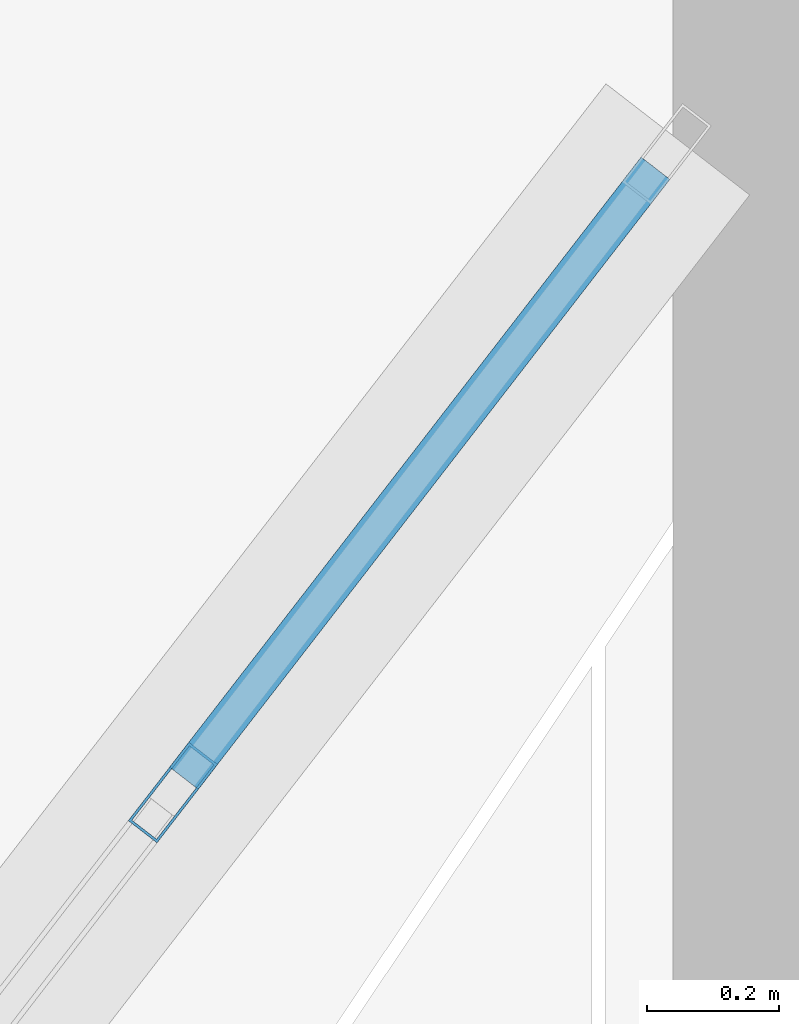
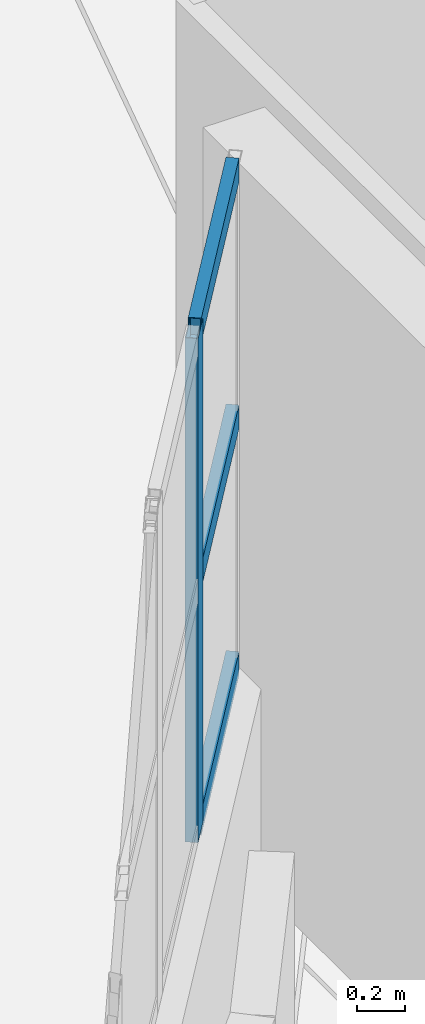
# One storey, part 11 of 46: 4 members, 1 element without a shape of its own.
"""IFC4 building model written with IfcOpenShell, lengths in metres."""

from ifc_helpers import new_model, si_unit, direction, frame, origin, origin_2d, place, context, subcontext, project, spatial, hollow_rectangle, extrude, material, layer, layer_set, material_profile, profile_set, type_object, element, aggregate, save


model = new_model("IFC4")

# Units and contexts
model_context = context("Model", 3, precision=1e-05, world=origin(), true_north=direction((0.0, 1.0)))
body_context = subcontext(model_context, "Body", "Model", "MODEL_VIEW")
ifc_project = project(units=[si_unit("LENGTHUNIT", "METRE"), si_unit("AREAUNIT", "SQUARE_METRE"), si_unit("VOLUMEUNIT", "CUBIC_METRE"), si_unit("PLANEANGLEUNIT", "RADIAN"), si_unit("MASSUNIT", "GRAM", prefix="KILO")], contexts=[model_context])

# Site, building, storey
site_placement = place(None, origin())
site = spatial("IfcSite", under=ifc_project, at=site_placement, CompositionType="ELEMENT")
building_placement = place(site_placement, origin())
building = spatial("IfcBuilding", under=site, at=building_placement, Name="Pelvatis Terrace Science Centre", CompositionType="ELEMENT")
storey_placement = place(building_placement, frame((0.0, 0.0, 19.800048828125)))
storey = spatial("IfcBuildingStorey", under=building, at=storey_placement, Name="L04", CompositionType="ELEMENT", Elevation=19.800048828125)

# Curtain wall, members
ifc_material_1 = material(Name="Bronze-anodised aluminium and laminated glass", Category="aluminium")
ifc_layer = layer(ifc_material_1, 0.14990234375)
ifc_layer_set = layer_set([ifc_layer], Name="Bronze-anodised aluminium and laminated glass")
curtain_wall_type = type_object("IfcCurtainWallType", Name="CW-PASSAGE-C", PredefinedType="NOTDEFINED", material=ifc_layer_set)
curtain_wall_placement = place(storey_placement, origin())
curtain_wall = element("IfcCurtainWall", 1, at=curtain_wall_placement, inside=storey, type_object=curtain_wall_type, Name="Ribbon curtain wall CW-236 (L04)", PredefinedType="NOTDEFINED")
ifc_material_2 = material(Name="Bronze-anodised aluminium 6063-T6", Category="aluminium")
ifc_material_profile_1 = material_profile(ifc_material_2, hollow_rectangle(XDim=0.054931640625, YDim=0.14990234375, WallThickness=0.00390625, at=origin_2d()), Name="ALU-MUL 55x150")
ifc_profile_set_1 = profile_set([ifc_material_profile_1], Name="Bronze-anodised aluminium 6063-T6")
member_type_1 = type_object("IfcMemberType", Name="CWM-55x150", PredefinedType="MULLION", material=ifc_profile_set_1)
member_1_placement = place(storey_placement, frame((131.946044921875, 74.565185546875, 1.02001953125), z_axis=(0.0, 0.0, 1.0), x_axis=(-0.791180678019, 0.611582483994, 0.0)))
member_1 = element("IfcMember", 2, at=member_1_placement, type_object=member_type_1, Name="CW-236 mullion 4", PredefinedType="MULLION", context=body_context, shape_type="SweptSolid", body=[
    extrude(hollow_rectangle(XDim=0.054931640625, YDim=0.14990234375, WallThickness=0.00390625, at=origin_2d()), origin(), (0.0, 0.0, 1.0), 2.550048828125),
])
ifc_material_3 = material(Name="Bronze-anodised aluminium 6063-T6", Category="aluminium")
ifc_material_profile_2 = material_profile(ifc_material_3, hollow_rectangle(XDim=0.054931640625, YDim=0.1201171875, WallThickness=0.00341796875, at=origin_2d()), Name="ALU-TRN 55x120")
ifc_profile_set_2 = profile_set([ifc_material_profile_2], Name="Bronze-anodised aluminium 6063-T6")
member_type_2 = type_object("IfcMemberType", Name="CWT-55x120", PredefinedType="USERDEFINED", material=ifc_profile_set_2)
member_2_placement = place(storey_placement, frame((131.962646484375, 74.5869140625, 1.04736328125), z_axis=(0.611620187246, 0.791151531979, 0.0), x_axis=(-0.791151531979, 0.611620187246, 0.0)))
member_2 = element("IfcMember", 3, at=member_2_placement, type_object=member_type_2, Name="CW-236 transom 4.1", ObjectType="TRANSOM", PredefinedType="USERDEFINED", context=body_context, shape_type="SweptSolid", body=[
    extrude(hollow_rectangle(XDim=0.054931640625, YDim=0.1201171875, WallThickness=0.00341796875, at=origin_2d()), origin(), (0.0, 0.0, 1.0), 1.166748046875),
])
member_3_placement = place(storey_placement, frame((131.962646484375, 74.5869140625, 2.294921875), z_axis=(0.611620187246, 0.791151531979, 0.0), x_axis=(-0.791151531979, 0.611620187246, 0.0)))
member_3 = element("IfcMember", 4, at=member_3_placement, type_object=member_type_2, Name="CW-236 transom 4.2", ObjectType="TRANSOM", PredefinedType="USERDEFINED", context=body_context, shape_type="SweptSolid", body=[
    extrude(hollow_rectangle(XDim=0.054931640625, YDim=0.1201171875, WallThickness=0.00341796875, at=origin_2d()), origin(), (0.0, 0.0, 1.0), 1.166748046875),
])
member_4_placement = place(storey_placement, frame((131.962646484375, 74.5869140625, 3.54248046875), z_axis=(0.611620187246, 0.791151531979, 0.0), x_axis=(-0.791151531979, 0.611620187246, 0.0)))
member_4 = element("IfcMember", 5, at=member_4_placement, type_object=member_type_2, Name="CW-236 transom 4.3", ObjectType="TRANSOM", PredefinedType="USERDEFINED", context=body_context, shape_type="SweptSolid", body=[
    extrude(hollow_rectangle(XDim=0.054931640625, YDim=0.1201171875, WallThickness=0.00341796875, at=origin_2d()), origin(), (0.0, 0.0, 1.0), 1.166748046875),
])
aggregate(curtain_wall, [member_1, member_2, member_3, member_4])

save(model, "model.ifc")
